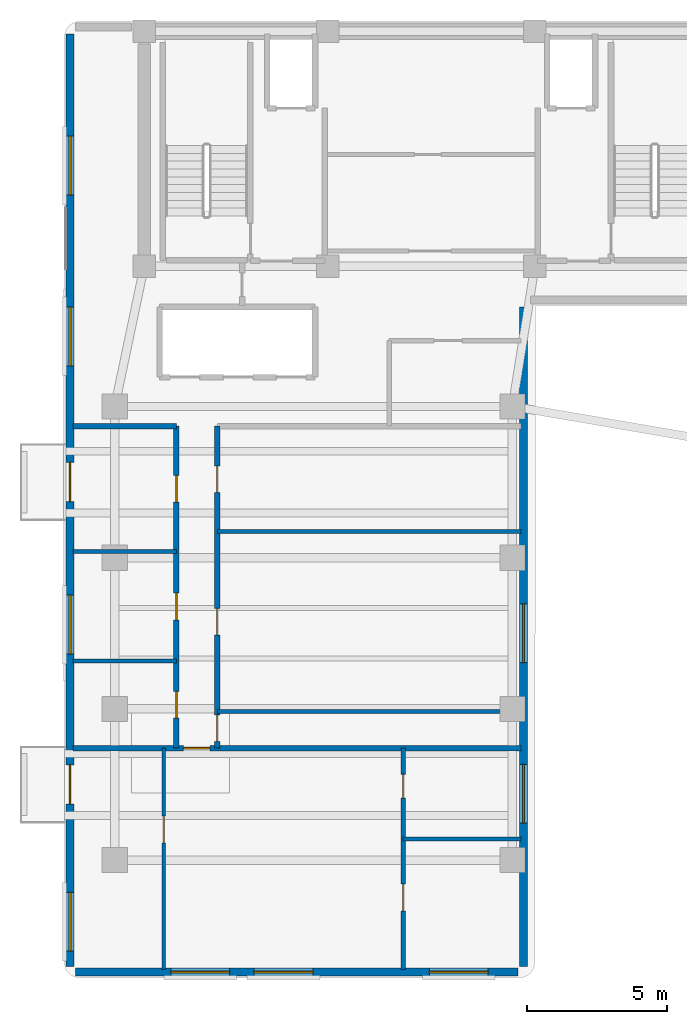
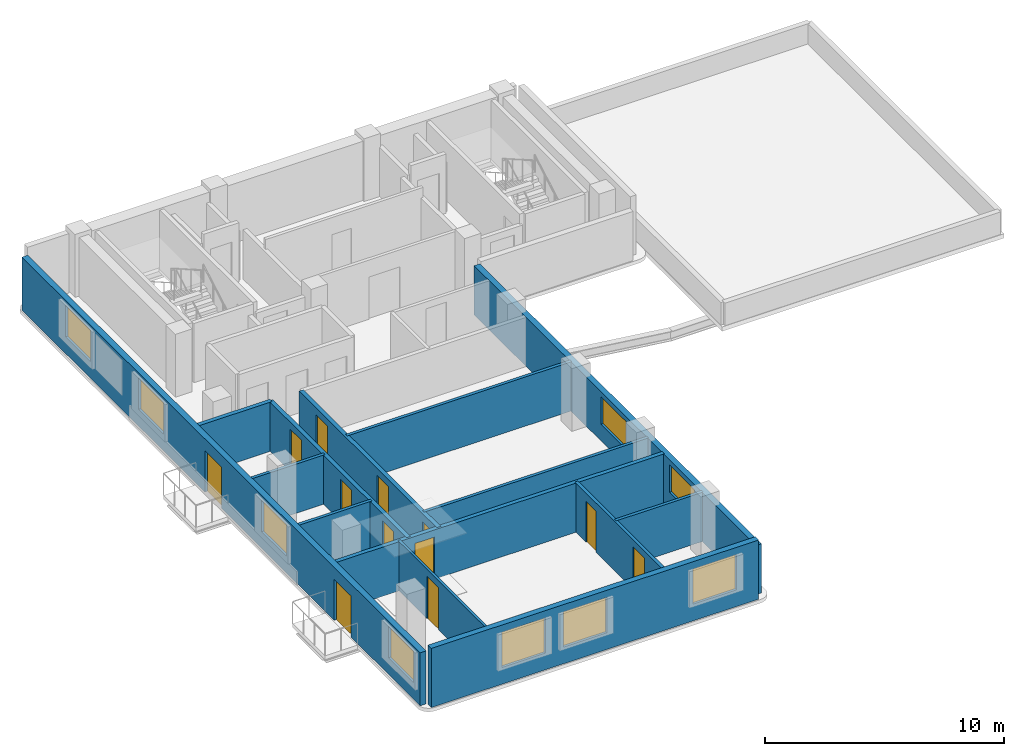
# One storey, part 2 of 6: 14 walls, 12 doors, 9 windows, 21 openings.
"""IFC4 building model written with IfcOpenShell, lengths in metres."""

from ifc_helpers import new_model, si_unit, direction, frame, frame_2d, origin, place, context, subcontext, project, spatial, rectangle, extrude, material, layer, layer_set, type_object, element, fill, save


model = new_model("IFC4")

# Units and contexts
model_context = context("Model", 3, precision=1e-05, world=origin(), true_north=direction((0.0, 1.0)))
body_context = subcontext(model_context, "Body", "Model", "MODEL_VIEW")
ifc_project = project(units=[si_unit("LENGTHUNIT", "METRE"), si_unit("AREAUNIT", "SQUARE_METRE"), si_unit("VOLUMEUNIT", "CUBIC_METRE"), si_unit("PLANEANGLEUNIT", "RADIAN"), si_unit("MASSUNIT", "GRAM", prefix="KILO")], contexts=[model_context])

# Site, building, storey
site_placement = place(None, origin())
site = spatial("IfcSite", under=ifc_project, at=site_placement, CompositionType="ELEMENT")
building_placement = place(site_placement, origin())
building = spatial("IfcBuilding", under=site, at=building_placement, Name="Kuzgunbayir Cultural Tower", CompositionType="ELEMENT")
storey_placement = place(building_placement, frame((0.0, 0.0, 204.800048828125)))
storey = spatial("IfcBuildingStorey", under=building, at=storey_placement, Name="L60", CompositionType="ELEMENT", Elevation=204.800048828125)

# Wall, openings, windows
ifc_material_1 = material(Name="Anatolian Cream Limestone", Category="masonry")
ifc_layer_1 = layer(ifc_material_1, 0.280029296875)
ifc_layer_set_1 = layer_set([ifc_layer_1], Name="Anatolian Cream Limestone")
wall_type_1 = type_object("IfcWallType", Name="WAL-EXT-STONE-280", PredefinedType="STANDARD", material=ifc_layer_set_1)
wall_1_placement = place(storey_placement, frame((4.0, 8.60009765625, 0.0), z_axis=(0.0, 0.0, 1.0), x_axis=(1.0, 0.0, 0.0)))
wall_1 = element("IfcWall", 1, at=wall_1_placement, inside=storey, type_object=wall_type_1, Name="L60 Wing A South Limestone Wall", PredefinedType="STANDARD", context=body_context, shape_type="SweptSolid", body=[
    extrude(rectangle(XDim=15.800048828125, YDim=0.280029296875, at=frame_2d((7.89990234375, 0.0))), origin(), (0.0, 0.0, 1.0), 3.02001953125),
])
opening_1_placement = place(wall_1_placement, frame((6.3701171875, 0.0, 0.85009765625)))
opening_1 = element("IfcOpeningElement", 2, at=opening_1_placement, cuts=wall_1, Name="Opening WR-21", PredefinedType="OPENING", context=body_context, shape_type="SweptSolid", body=[
    extrude(rectangle(XDim=2.10009765625, YDim=1.800048828125, at=frame_2d((1.050048828125, 0.89990234375))), frame((0.0, 0.14990234375, 0.0), z_axis=(0.0, -1.0, 0.0), x_axis=(1.0, 0.0, 0.0)), (0.0, 0.0, 1.0), 0.300048828125),
])
opening_2_placement = place(wall_1_placement, frame((12.6298828125, 0.0, 0.85009765625)))
opening_2 = element("IfcOpeningElement", 3, at=opening_2_placement, cuts=wall_1, Name="Opening WR-21", PredefinedType="OPENING", context=body_context, shape_type="SweptSolid", body=[
    extrude(rectangle(XDim=2.10009765625, YDim=1.800048828125, at=frame_2d((1.050048828125, 0.89990234375))), frame((0.0, 0.14990234375, 0.0), z_axis=(0.0, -1.0, 0.0), x_axis=(1.0, 0.0, 0.0)), (0.0, 0.0, 1.0), 0.300048828125),
])
opening_3_placement = place(wall_1_placement, frame((3.39990234375, 0.0, 0.85009765625)))
opening_3 = element("IfcOpeningElement", 4, at=opening_3_placement, cuts=wall_1, Name="Opening WR-21", PredefinedType="OPENING", context=body_context, shape_type="SweptSolid", body=[
    extrude(rectangle(XDim=2.10009765625, YDim=1.800048828125, at=frame_2d((1.050048828125, 0.89990234375))), frame((0.0, 0.14990234375, 0.0), z_axis=(0.0, -1.0, 0.0), x_axis=(1.0, 0.0, 0.0)), (0.0, 0.0, 1.0), 0.300048828125),
])
ifc_material_2 = material(Name="Solar-Control Triple Glazing", Category="glass")
window_type = type_object("IfcWindowType", Name="WIN-RESID-21", PartitioningType="SINGLE_PANEL", PredefinedType="WINDOW", material=ifc_material_2)
window_1_placement = place(opening_1_placement, origin())
window_1 = element("IfcWindow", 5, at=window_1_placement, inside=storey, type_object=window_type, Name="L60 WAS Facade Window 1", OverallHeight=1.800048828125, OverallWidth=2.10009765625, PartitioningType="SINGLE_PANEL", PredefinedType="WINDOW", context=body_context, shape_type="SweptSolid", body=[
    extrude(rectangle(XDim=2.10009765625, YDim=1.800048828125, at=frame_2d((1.050048828125, 0.89990234375))), frame((0.0, 0.030029296875, 0.0), z_axis=(0.0, -1.0, 0.0), x_axis=(1.0, 0.0, 0.0)), (0.0, 0.0, 1.0), 0.06005859375),
])
fill(opening_1, window_1)
window_2_placement = place(opening_2_placement, origin())
window_2 = element("IfcWindow", 6, at=window_2_placement, inside=storey, type_object=window_type, Name="L60 WAS Facade Window 2", OverallHeight=1.800048828125, OverallWidth=2.10009765625, PartitioningType="SINGLE_PANEL", PredefinedType="WINDOW", context=body_context, shape_type="SweptSolid", body=[
    extrude(rectangle(XDim=2.10009765625, YDim=1.800048828125, at=frame_2d((1.050048828125, 0.89990234375))), frame((0.0, 0.030029296875, 0.0), z_axis=(0.0, -1.0, 0.0), x_axis=(1.0, 0.0, 0.0)), (0.0, 0.0, 1.0), 0.06005859375),
])
fill(opening_2, window_2)
window_3_placement = place(opening_3_placement, origin())
window_3 = element("IfcWindow", 7, at=window_3_placement, inside=storey, type_object=window_type, Name="L60 WAS Facade Window 9", OverallHeight=1.800048828125, OverallWidth=2.10009765625, PartitioningType="SINGLE_PANEL", PredefinedType="WINDOW", context=body_context, shape_type="SweptSolid", body=[
    extrude(rectangle(XDim=2.10009765625, YDim=1.800048828125, at=frame_2d((1.050048828125, 0.89990234375))), frame((0.0, 0.030029296875, 0.0), z_axis=(0.0, -1.0, 0.0), x_axis=(1.0, 0.0, 0.0)), (0.0, 0.0, 1.0), 0.06005859375),
])
fill(opening_3, window_3)

# Wall, openings, doors, windows
wall_2_placement = place(storey_placement, frame((3.800048828125, 42.10009765625, 0.0), z_axis=(0.0, 0.0, 1.0), x_axis=(0.0, -1.0, 0.0)))
wall_2 = element("IfcWall", 8, at=wall_2_placement, inside=storey, type_object=wall_type_1, Name="L60 Wing A West Limestone Wall", PredefinedType="STANDARD", context=body_context, shape_type="SweptSolid", body=[
    extrude(rectangle(XDim=33.300048828125, YDim=0.280029296875, at=frame_2d((16.64990234375, 0.0))), origin(), (0.0, 0.0, 1.0), 2.7099609375),
])
opening_4_placement = place(wall_2_placement, frame((26.10009765625, 0.0, 0.0)))
opening_4 = element("IfcOpeningElement", 9, at=opening_4_placement, cuts=wall_2, Name="Opening BD-15", PredefinedType="OPENING", context=body_context, shape_type="SweptSolid", body=[
    extrude(rectangle(XDim=1.39990234375, YDim=2.10009765625, at=frame_2d((0.699951171875, 1.050048828125))), frame((0.0, 0.14990234375, 0.0), z_axis=(0.0, -1.0, 0.0), x_axis=(1.0, 0.0, 0.0)), (0.0, 0.0, 1.0), 0.300048828125),
])
opening_5_placement = place(wall_2_placement, frame((15.300048828125, 0.0, 0.0)))
opening_5 = element("IfcOpeningElement", 10, at=opening_5_placement, cuts=wall_2, Name="Opening BD-15", PredefinedType="OPENING", context=body_context, shape_type="SweptSolid", body=[
    extrude(rectangle(XDim=1.39990234375, YDim=2.10009765625, at=frame_2d((0.699951171875, 1.050048828125))), frame((0.0, 0.14990234375, 0.0), z_axis=(0.0, -1.0, 0.0), x_axis=(1.0, 0.0, 0.0)), (0.0, 0.0, 1.0), 0.300048828125),
])
opening_6_placement = place(wall_2_placement, frame((30.64990234375, 0.0, 0.85009765625)))
opening_6 = element("IfcOpeningElement", 11, at=opening_6_placement, cuts=wall_2, Name="Opening WR-21", PredefinedType="OPENING", context=body_context, shape_type="SweptSolid", body=[
    extrude(rectangle(XDim=2.10009765625, YDim=1.610107421875, at=frame_2d((1.050048828125, 0.80517578125))), frame((0.0, 0.14990234375, 0.0), z_axis=(0.0, -1.0, 0.0), x_axis=(1.0, 0.0, 0.0)), (0.0, 0.0, 1.0), 0.300048828125),
])
opening_7_placement = place(wall_2_placement, frame((20.0400390625, 0.0, 0.85009765625)))
opening_7 = element("IfcOpeningElement", 12, at=opening_7_placement, cuts=wall_2, Name="Opening WR-21", PredefinedType="OPENING", context=body_context, shape_type="SweptSolid", body=[
    extrude(rectangle(XDim=2.10009765625, YDim=1.610107421875, at=frame_2d((1.050048828125, 0.80517578125))), frame((0.0, 0.14990234375, 0.0), z_axis=(0.0, -1.0, 0.0), x_axis=(1.0, 0.0, 0.0)), (0.0, 0.0, 1.0), 0.300048828125),
])
opening_8_placement = place(wall_2_placement, frame((9.75, 0.0, 0.85009765625)))
opening_8 = element("IfcOpeningElement", 13, at=opening_8_placement, cuts=wall_2, Name="Opening WR-21", PredefinedType="OPENING", context=body_context, shape_type="SweptSolid", body=[
    extrude(rectangle(XDim=2.10009765625, YDim=1.610107421875, at=frame_2d((1.050048828125, 0.80517578125))), frame((0.0, 0.14990234375, 0.0), z_axis=(0.0, -1.0, 0.0), x_axis=(1.0, 0.0, 0.0)), (0.0, 0.0, 1.0), 0.300048828125),
])
opening_9_placement = place(wall_2_placement, frame((3.64990234375, 0.0, 0.85009765625)))
opening_9 = element("IfcOpeningElement", 14, at=opening_9_placement, cuts=wall_2, Name="Opening WR-21", PredefinedType="OPENING", context=body_context, shape_type="SweptSolid", body=[
    extrude(rectangle(XDim=2.10009765625, YDim=1.610107421875, at=frame_2d((1.050048828125, 0.80517578125))), frame((0.0, 0.14990234375, 0.0), z_axis=(0.0, -1.0, 0.0), x_axis=(1.0, 0.0, 0.0)), (0.0, 0.0, 1.0), 0.300048828125),
])
ifc_material_3 = material(Name="Thermally Broken Glazed Aluminium", Category="aluminium")
door_type_1 = type_object("IfcDoorType", Name="DR-BALCONY-150", OperationType="SLIDING_TO_RIGHT", PredefinedType="DOOR", material=ifc_material_3)
door_1_placement = place(opening_4_placement, origin())
door_1 = element("IfcDoor", 15, at=door_1_placement, inside=storey, type_object=door_type_1, Name="L60 West Balcony Sliding Door BAL-L60-WA1", OperationType="SLIDING_TO_RIGHT", OverallHeight=2.10009765625, OverallWidth=1.39990234375, PredefinedType="DOOR", context=body_context, shape_type="SweptSolid", body=[
    extrude(rectangle(XDim=1.39990234375, YDim=2.10009765625, at=frame_2d((0.699951171875, 1.050048828125))), frame((0.0, 0.02490234375, 0.0), z_axis=(0.0, -1.0, 0.0), x_axis=(1.0, 0.0, 0.0)), (0.0, 0.0, 1.0), 0.050048828125),
])
fill(opening_4, door_1)
door_2_placement = place(opening_5_placement, origin())
door_2 = element("IfcDoor", 16, at=door_2_placement, inside=storey, type_object=door_type_1, Name="L60 West Balcony Sliding Door BAL-L60-WA3", OperationType="SLIDING_TO_RIGHT", OverallHeight=2.10009765625, OverallWidth=1.39990234375, PredefinedType="DOOR", context=body_context, shape_type="SweptSolid", body=[
    extrude(rectangle(XDim=1.39990234375, YDim=2.10009765625, at=frame_2d((0.699951171875, 1.050048828125))), frame((0.0, 0.02490234375, 0.0), z_axis=(0.0, -1.0, 0.0), x_axis=(1.0, 0.0, 0.0)), (0.0, 0.0, 1.0), 0.050048828125),
])
fill(opening_5, door_2)
window_4_placement = place(opening_6_placement, origin())
window_4 = element("IfcWindow", 17, at=window_4_placement, inside=storey, type_object=window_type, Name="L60 WAW Facade Window 4", OverallHeight=1.610107421875, OverallWidth=2.10009765625, PartitioningType="SINGLE_PANEL", PredefinedType="WINDOW", context=body_context, shape_type="SweptSolid", body=[
    extrude(rectangle(XDim=2.10009765625, YDim=1.610107421875, at=frame_2d((1.050048828125, 0.80517578125))), frame((0.0, 0.030029296875, 0.0), z_axis=(0.0, -1.0, 0.0), x_axis=(1.0, 0.0, 0.0)), (0.0, 0.0, 1.0), 0.06005859375),
])
fill(opening_6, window_4)
window_5_placement = place(opening_7_placement, origin())
window_5 = element("IfcWindow", 18, at=window_5_placement, inside=storey, type_object=window_type, Name="L60 WAW Facade Window 5", OverallHeight=1.610107421875, OverallWidth=2.10009765625, PartitioningType="SINGLE_PANEL", PredefinedType="WINDOW", context=body_context, shape_type="SweptSolid", body=[
    extrude(rectangle(XDim=2.10009765625, YDim=1.610107421875, at=frame_2d((1.050048828125, 0.80517578125))), frame((0.0, 0.030029296875, 0.0), z_axis=(0.0, -1.0, 0.0), x_axis=(1.0, 0.0, 0.0)), (0.0, 0.0, 1.0), 0.06005859375),
])
fill(opening_7, window_5)
window_6_placement = place(opening_8_placement, origin())
window_6 = element("IfcWindow", 19, at=window_6_placement, inside=storey, type_object=window_type, Name="L60 WAW Facade Window 6", OverallHeight=1.610107421875, OverallWidth=2.10009765625, PartitioningType="SINGLE_PANEL", PredefinedType="WINDOW", context=body_context, shape_type="SweptSolid", body=[
    extrude(rectangle(XDim=2.10009765625, YDim=1.610107421875, at=frame_2d((1.050048828125, 0.80517578125))), frame((0.0, 0.030029296875, 0.0), z_axis=(0.0, -1.0, 0.0), x_axis=(1.0, 0.0, 0.0)), (0.0, 0.0, 1.0), 0.06005859375),
])
fill(opening_8, window_6)
window_7_placement = place(opening_9_placement, origin())
window_7 = element("IfcWindow", 20, at=window_7_placement, inside=storey, type_object=window_type, Name="L60 WAW Facade Window 7", OverallHeight=1.610107421875, OverallWidth=2.10009765625, PartitioningType="SINGLE_PANEL", PredefinedType="WINDOW", context=body_context, shape_type="SweptSolid", body=[
    extrude(rectangle(XDim=2.10009765625, YDim=1.610107421875, at=frame_2d((1.050048828125, 0.80517578125))), frame((0.0, 0.030029296875, 0.0), z_axis=(0.0, -1.0, 0.0), x_axis=(1.0, 0.0, 0.0)), (0.0, 0.0, 1.0), 0.06005859375),
])
fill(opening_9, window_7)

# Wall, openings, windows
wall_3_placement = place(storey_placement, frame((20.0, 8.800048828125, 0.0), z_axis=(0.0, 0.0, 1.0), x_axis=(0.0, 1.0, 0.0)))
wall_3 = element("IfcWall", 21, at=wall_3_placement, inside=storey, type_object=wall_type_1, Name="L60 Wing A East Limestone Wall", PredefinedType="STANDARD", context=body_context, shape_type="SweptSolid", body=[
    extrude(rectangle(XDim=23.550048828125, YDim=0.280029296875, at=frame_2d((11.77490234375, 0.0))), origin(), (0.0, 0.0, 1.0), 2.510009765625),
])
opening_10_placement = place(wall_3_placement, frame((5.1201171875, 0.0, 0.85009765625)))
opening_10 = element("IfcOpeningElement", 22, at=opening_10_placement, cuts=wall_3, Name="Opening WR-21", PredefinedType="OPENING", context=body_context, shape_type="SweptSolid", body=[
    extrude(rectangle(XDim=2.10009765625, YDim=1.409912109375, at=frame_2d((1.050048828125, 0.705078125))), frame((0.0, 0.14990234375, 0.0), z_axis=(0.0, -1.0, 0.0), x_axis=(1.0, 0.0, 0.0)), (0.0, 0.0, 1.0), 0.300048828125),
])
opening_11_placement = place(wall_3_placement, frame((10.85009765625, 0.0, 0.85009765625)))
opening_11 = element("IfcOpeningElement", 23, at=opening_11_placement, cuts=wall_3, Name="Opening WR-21", PredefinedType="OPENING", context=body_context, shape_type="SweptSolid", body=[
    extrude(rectangle(XDim=2.10009765625, YDim=1.409912109375, at=frame_2d((1.050048828125, 0.705078125))), frame((0.0, 0.14990234375, 0.0), z_axis=(0.0, -1.0, 0.0), x_axis=(1.0, 0.0, 0.0)), (0.0, 0.0, 1.0), 0.300048828125),
])
window_8_placement = place(opening_10_placement, origin())
window_8 = element("IfcWindow", 24, at=window_8_placement, inside=storey, type_object=window_type, Name="L60 WAE Facade Window 3", OverallHeight=1.409912109375, OverallWidth=2.10009765625, PartitioningType="SINGLE_PANEL", PredefinedType="WINDOW", context=body_context, shape_type="SweptSolid", body=[
    extrude(rectangle(XDim=2.10009765625, YDim=1.409912109375, at=frame_2d((1.050048828125, 0.705078125))), frame((0.0, 0.030029296875, 0.0), z_axis=(0.0, -1.0, 0.0), x_axis=(1.0, 0.0, 0.0)), (0.0, 0.0, 1.0), 0.06005859375),
])
fill(opening_10, window_8)
window_9_placement = place(opening_11_placement, origin())
window_9 = element("IfcWindow", 25, at=window_9_placement, inside=storey, type_object=window_type, Name="L60 WAE Facade Window 8", OverallHeight=1.409912109375, OverallWidth=2.10009765625, PartitioningType="SINGLE_PANEL", PredefinedType="WINDOW", context=body_context, shape_type="SweptSolid", body=[
    extrude(rectangle(XDim=2.10009765625, YDim=1.409912109375, at=frame_2d((1.050048828125, 0.705078125))), frame((0.0, 0.030029296875, 0.0), z_axis=(0.0, -1.0, 0.0), x_axis=(1.0, 0.0, 0.0)), (0.0, 0.0, 1.0), 0.06005859375),
])
fill(opening_11, window_9)

# Walls
ifc_material_4 = material(Name="Acoustic Double-Stud Drywall", Category="gypsum")
ifc_layer_2 = layer(ifc_material_4, 0.14990234375)
ifc_layer_set_2 = layer_set([ifc_layer_2], Name="Acoustic Double-Stud Drywall")
wall_type_2 = type_object("IfcWallType", Name="WAL-PART-ACOUSTIC-150", PredefinedType="PARTITIONING", material=ifc_layer_set_2)
for number, where, z_axis, x_axis, name in (
    (26, (3.89990234375, 19.7099609375, 0.0), (0.0, 0.0, 1.0), (1.0, 0.0, 0.0), "L60 West Study Partition 1"),
    (27, (3.89990234375, 23.6201171875, 0.0), (0.0, 0.0, 1.0), (1.0, 0.0, 0.0), "L60 West Study Partition 2"),
):
    element("IfcWall", number, at=place(storey_placement, frame(where, z_axis=z_axis, x_axis=x_axis)), inside=storey, type_object=wall_type_2, Name=name, PredefinedType="PARTITIONING", context=body_context, shape_type="SweptSolid", body=[
        extrude(rectangle(XDim=3.7001953125, YDim=0.14990234375, at=frame_2d((1.85009765625, 0.0))), origin(), (0.0, 0.0, 1.0), 2.510009765625),
    ])
wall_4_placement = place(storey_placement, frame((9.06005859375, 24.330078125, 0.0), z_axis=(0.0, 0.0, 1.0), x_axis=(1.0, 0.0, 0.0)))
element("IfcWall", 28, at=wall_4_placement, inside=storey, type_object=wall_type_2, Name="L60 East Divider 1", PredefinedType="PARTITIONING", context=body_context, shape_type="SweptSolid", body=[
    extrude(rectangle(XDim=10.83984375, YDim=0.14990234375, at=frame_2d((5.419921875, 0.0))), origin(), (0.0, 0.0, 1.0), 2.510009765625),
])

# Wall, openings, doors
ifc_material_5 = material(Name="Aerated Concrete Blockwork", Category="masonry")
ifc_layer_3 = layer(ifc_material_5, 0.199951171875)
ifc_layer_set_3 = layer_set([ifc_layer_3], Name="Aerated Concrete Blockwork")
wall_type_3 = type_object("IfcWallType", Name="WAL-PART-FIRE-200", PredefinedType="PARTITIONING", material=ifc_layer_set_3)
wall_5_placement = place(storey_placement, frame((7.60009765625, 16.60009765625, 0.0), z_axis=(0.0, 0.0, 1.0), x_axis=(0.0, 1.0, 0.0)))
wall_5 = element("IfcWall", 29, at=wall_5_placement, inside=storey, type_object=wall_type_3, Name="L60 Wing A West Corridor Wall", PredefinedType="PARTITIONING", context=body_context, shape_type="SweptSolid", body=[
    extrude(rectangle(XDim=11.5, YDim=0.199951171875, at=frame_2d((5.75, 0.0))), origin(), (0.0, 0.0, 1.0), 2.510009765625),
])
opening_12_placement = place(wall_5_placement, frame((1.070068359375, 0.0, 0.0)))
opening_12 = element("IfcOpeningElement", 30, at=opening_12_placement, cuts=wall_5, Name="Opening DI-90", PredefinedType="OPENING", context=body_context, shape_type="SweptSolid", body=[
    extrude(rectangle(XDim=0.949951171875, YDim=2.14990234375, at=frame_2d((0.47509765625, 1.074951171875))), frame((0.0, 0.10986328125, 0.0), z_axis=(0.0, -1.0, 0.0), x_axis=(1.0, 0.0, 0.0)), (0.0, 0.0, 1.0), 0.219970703125),
])
opening_13_placement = place(wall_5_placement, frame((4.580078125, 0.0, 0.0)))
opening_13 = element("IfcOpeningElement", 31, at=opening_13_placement, cuts=wall_5, Name="Opening DI-90", PredefinedType="OPENING", context=body_context, shape_type="SweptSolid", body=[
    extrude(rectangle(XDim=0.949951171875, YDim=2.14990234375, at=frame_2d((0.47509765625, 1.074951171875))), frame((0.0, 0.10986328125, 0.0), z_axis=(0.0, -1.0, 0.0), x_axis=(1.0, 0.0, 0.0)), (0.0, 0.0, 1.0), 0.219970703125),
])
opening_14_placement = place(wall_5_placement, frame((8.780029296875, 0.0, 0.0)))
opening_14 = element("IfcOpeningElement", 32, at=opening_14_placement, cuts=wall_5, Name="Opening DI-90", PredefinedType="OPENING", context=body_context, shape_type="SweptSolid", body=[
    extrude(rectangle(XDim=0.949951171875, YDim=2.14990234375, at=frame_2d((0.47509765625, 1.074951171875))), frame((0.0, 0.10986328125, 0.0), z_axis=(0.0, -1.0, 0.0), x_axis=(1.0, 0.0, 0.0)), (0.0, 0.0, 1.0), 0.219970703125),
])
ifc_material_6 = material(Name="Veneered Oak Single Leaf", Category="wood")
door_type_2 = type_object("IfcDoorType", Name="DR-INT-90", OperationType="NOTDEFINED", PredefinedType="DOOR", material=ifc_material_6)
door_3_placement = place(opening_12_placement, origin())
door_3 = element("IfcDoor", 33, at=door_3_placement, inside=storey, type_object=door_type_2, Name="L60 Curatorial Office W1 Door", OperationType="SINGLE_SWING_LEFT", OverallHeight=2.14990234375, OverallWidth=0.949951171875, PredefinedType="DOOR", context=body_context, shape_type="SweptSolid", body=[
    extrude(rectangle(XDim=0.949951171875, YDim=2.14990234375, at=frame_2d((0.47509765625, 1.074951171875))), frame((0.0, 0.02490234375, 0.0), z_axis=(0.0, -1.0, 0.0), x_axis=(1.0, 0.0, 0.0)), (0.0, 0.0, 1.0), 0.050048828125),
])
fill(opening_12, door_3)
door_4_placement = place(opening_13_placement, origin())
door_4 = element("IfcDoor", 34, at=door_4_placement, inside=storey, type_object=door_type_2, Name="L60 Curatorial Office W2 Door", OperationType="SINGLE_SWING_RIGHT", OverallHeight=2.14990234375, OverallWidth=0.949951171875, PredefinedType="DOOR", context=body_context, shape_type="SweptSolid", body=[
    extrude(rectangle(XDim=0.949951171875, YDim=2.14990234375, at=frame_2d((0.47509765625, 1.074951171875))), frame((0.0, 0.02490234375, 0.0), z_axis=(0.0, -1.0, 0.0), x_axis=(1.0, 0.0, 0.0)), (0.0, 0.0, 1.0), 0.050048828125),
])
fill(opening_13, door_4)
door_5_placement = place(opening_14_placement, origin())
door_5 = element("IfcDoor", 35, at=door_5_placement, inside=storey, type_object=door_type_2, Name="L60 Wellness Consultation Studio W3 Door", OperationType="SINGLE_SWING_LEFT", OverallHeight=2.14990234375, OverallWidth=0.949951171875, PredefinedType="DOOR", context=body_context, shape_type="SweptSolid", body=[
    extrude(rectangle(XDim=0.949951171875, YDim=2.14990234375, at=frame_2d((0.47509765625, 1.074951171875))), frame((0.0, 0.02490234375, 0.0), z_axis=(0.0, -1.0, 0.0), x_axis=(1.0, 0.0, 0.0)), (0.0, 0.0, 1.0), 0.050048828125),
])
fill(opening_14, door_5)

wall_6_placement = place(storey_placement, frame((9.06005859375, 16.60009765625, 0.0), z_axis=(0.0, 0.0, 1.0), x_axis=(0.0, 1.0, 0.0)))
wall_6 = element("IfcWall", 36, at=wall_6_placement, inside=storey, type_object=wall_type_3, Name="L60 Wing A East Corridor Wall", PredefinedType="PARTITIONING", context=body_context, shape_type="SweptSolid", body=[
    extrude(rectangle(XDim=11.5, YDim=0.199951171875, at=frame_2d((5.75, 0.0))), origin(), (0.0, 0.0, 1.0), 2.510009765625),
])
opening_15_placement = place(wall_6_placement, frame((0.239990234375, 0.0, 0.0)))
opening_15 = element("IfcOpeningElement", 37, at=opening_15_placement, cuts=wall_6, Name="Opening DW-95", PredefinedType="OPENING", context=body_context, shape_type="SweptSolid", body=[
    extrude(rectangle(XDim=0.949951171875, YDim=2.10009765625, at=frame_2d((0.47509765625, 1.050048828125))), frame((0.0, 0.10986328125, 0.0), z_axis=(0.0, -1.0, 0.0), x_axis=(1.0, 0.0, 0.0)), (0.0, 0.0, 1.0), 0.219970703125),
])
opening_16_placement = place(wall_6_placement, frame((4.0400390625, 0.0, 0.0)))
opening_16 = element("IfcOpeningElement", 38, at=opening_16_placement, cuts=wall_6, Name="Opening DI-90", PredefinedType="OPENING", context=body_context, shape_type="SweptSolid", body=[
    extrude(rectangle(XDim=0.949951171875, YDim=2.14990234375, at=frame_2d((0.47509765625, 1.074951171875))), frame((0.0, 0.10986328125, 0.0), z_axis=(0.0, -1.0, 0.0), x_axis=(1.0, 0.0, 0.0)), (0.0, 0.0, 1.0), 0.219970703125),
])
opening_17_placement = place(wall_6_placement, frame((9.1298828125, 0.0, 0.0)))
opening_17 = element("IfcOpeningElement", 39, at=opening_17_placement, cuts=wall_6, Name="Opening DI-90", PredefinedType="OPENING", context=body_context, shape_type="SweptSolid", body=[
    extrude(rectangle(XDim=0.949951171875, YDim=2.14990234375, at=frame_2d((0.47509765625, 1.074951171875))), frame((0.0, 0.10986328125, 0.0), z_axis=(0.0, -1.0, 0.0), x_axis=(1.0, 0.0, 0.0)), (0.0, 0.0, 1.0), 0.219970703125),
])
door_6_placement = place(opening_16_placement, origin())
door_6 = element("IfcDoor", 40, at=door_6_placement, inside=storey, type_object=door_type_2, Name="L60 East Curatorial Office E1 Door", OperationType="SINGLE_SWING_LEFT", OverallHeight=2.14990234375, OverallWidth=0.949951171875, PredefinedType="DOOR", context=body_context, shape_type="SweptSolid", body=[
    extrude(rectangle(XDim=0.949951171875, YDim=2.14990234375, at=frame_2d((0.47509765625, 1.074951171875))), frame((0.0, 0.02490234375, 0.0), z_axis=(0.0, -1.0, 0.0), x_axis=(1.0, 0.0, 0.0)), (0.0, 0.0, 1.0), 0.050048828125),
])
fill(opening_16, door_6)
door_7_placement = place(opening_17_placement, origin())
door_7 = element("IfcDoor", 41, at=door_7_placement, inside=storey, type_object=door_type_2, Name="L60 East Fellows Reading Lounge E2 Door", OperationType="SINGLE_SWING_RIGHT", OverallHeight=2.14990234375, OverallWidth=0.949951171875, PredefinedType="DOOR", context=body_context, shape_type="SweptSolid", body=[
    extrude(rectangle(XDim=0.949951171875, YDim=2.14990234375, at=frame_2d((0.47509765625, 1.074951171875))), frame((0.0, 0.02490234375, 0.0), z_axis=(0.0, -1.0, 0.0), x_axis=(1.0, 0.0, 0.0)), (0.0, 0.0, 1.0), 0.050048828125),
])
fill(opening_17, door_7)
ifc_material_7 = material(Name="Laminate Moisture-Resistant Leaf", Category="wood")
door_type_3 = type_object("IfcDoorType", Name="DR-WET-95", OperationType="NOTDEFINED", PredefinedType="DOOR", material=ifc_material_7)
door_8_placement = place(opening_15_placement, origin())
door_8 = element("IfcDoor", 42, at=door_8_placement, inside=storey, type_object=door_type_3, Name="L60 Visitor Accessible WC Door", OperationType="SINGLE_SWING_RIGHT", OverallHeight=2.10009765625, OverallWidth=0.949951171875, PredefinedType="DOOR", context=body_context, shape_type="SweptSolid", body=[
    extrude(rectangle(XDim=0.949951171875, YDim=2.10009765625, at=frame_2d((0.47509765625, 1.050048828125))), frame((0.0, 0.02490234375, 0.0), z_axis=(0.0, -1.0, 0.0), x_axis=(1.0, 0.0, 0.0)), (0.0, 0.0, 1.0), 0.050048828125),
])
fill(opening_15, door_8)

# Wall, opening, door
wall_7_placement = place(storey_placement, frame((3.89990234375, 16.60009765625, 0.0), z_axis=(0.0, 0.0, 1.0), x_axis=(1.0, 0.0, 0.0)))
wall_7 = element("IfcWall", 43, at=wall_7_placement, inside=storey, type_object=wall_type_3, Name="L60 South Cross Partition", PredefinedType="PARTITIONING", context=body_context, shape_type="SweptSolid", body=[
    extrude(rectangle(XDim=16.0, YDim=0.199951171875, at=frame_2d((8.0, 0.0))), origin(), (0.0, 0.0, 1.0), 2.510009765625),
])
opening_18_placement = place(wall_7_placement, frame((3.949951171875, 0.0, 0.0)))
opening_18 = element("IfcOpeningElement", 44, at=opening_18_placement, cuts=wall_7, Name="Opening DR-APT-60", PredefinedType="OPENING", context=body_context, shape_type="SweptSolid", body=[
    extrude(rectangle(XDim=0.949951171875, YDim=2.14990234375, at=frame_2d((0.47509765625, 1.074951171875))), frame((0.0, 0.10986328125, 0.0), z_axis=(0.0, -1.0, 0.0), x_axis=(1.0, 0.0, 0.0)), (0.0, 0.0, 1.0), 0.219970703125),
])
ifc_material_8 = material(Name="Acoustic Fire Timber Leaf", Category="wood")
door_type_4 = type_object("IfcDoorType", Name="DR-APT-60", OperationType="NOTDEFINED", PredefinedType="DOOR", material=ifc_material_8)
door_9_placement = place(opening_18_placement, origin())
door_9 = element("IfcDoor", 45, at=door_9_placement, inside=storey, type_object=door_type_4, Name="L60 Apartment A Entrance", OperationType="SINGLE_SWING_LEFT", OverallHeight=2.14990234375, OverallWidth=0.949951171875, PredefinedType="DOOR", context=body_context, shape_type="SweptSolid", body=[
    extrude(rectangle(XDim=0.949951171875, YDim=2.14990234375, at=frame_2d((0.47509765625, 1.074951171875))), frame((0.0, 0.02490234375, 0.0), z_axis=(0.0, -1.0, 0.0), x_axis=(1.0, 0.0, 0.0)), (0.0, 0.0, 1.0), 0.050048828125),
])
fill(opening_18, door_9)

# Wall
wall_8_placement = place(storey_placement, frame((3.89990234375, 28.10009765625, 0.0), z_axis=(0.0, 0.0, 1.0), x_axis=(1.0, 0.0, 0.0)))
element("IfcWall", 46, at=wall_8_placement, inside=storey, type_object=wall_type_3, Name="L60 North West Partition", PredefinedType="PARTITIONING", context=body_context, shape_type="SweptSolid", body=[
    extrude(rectangle(XDim=3.7001953125, YDim=0.199951171875, at=frame_2d((1.85009765625, 0.0))), origin(), (0.0, 0.0, 1.0), 2.510009765625),
])

# Wall, opening, door
ifc_material_9 = material(Name="Framed Gypsum Partition", Category="gypsum")
ifc_layer_4 = layer(ifc_material_9, 0.1201171875)
ifc_layer_set_4 = layer_set([ifc_layer_4], Name="Framed Gypsum Partition")
wall_type_4 = type_object("IfcWallType", Name="WAL-PART-INT-120", PredefinedType="PARTITIONING", material=ifc_layer_set_4)
wall_9_placement = place(storey_placement, frame((7.14990234375, 8.699951171875, 0.0), z_axis=(0.0, 0.0, 1.0), x_axis=(0.0, 1.0, 0.0)))
wall_9 = element("IfcWall", 47, at=wall_9_placement, inside=storey, type_object=wall_type_4, Name="L60 Flat A West Bedroom Wall", PredefinedType="PARTITIONING", context=body_context, shape_type="SweptSolid", body=[
    extrude(rectangle(XDim=7.900146484375, YDim=0.1201171875, at=frame_2d((3.9501953125, 0.0))), origin(), (0.0, 0.0, 1.0), 2.510009765625),
])
opening_19_placement = place(wall_9_placement, frame((4.52001953125, 0.0, 0.0)))
opening_19 = element("IfcOpeningElement", 48, at=opening_19_placement, cuts=wall_9, Name="Opening DI-90", PredefinedType="OPENING", context=body_context, shape_type="SweptSolid", body=[
    extrude(rectangle(XDim=0.949951171875, YDim=2.14990234375, at=frame_2d((0.47509765625, 1.074951171875))), frame((0.0, 0.070068359375, 0.0), z_axis=(0.0, -1.0, 0.0), x_axis=(1.0, 0.0, 0.0)), (0.0, 0.0, 1.0), 0.14013671875),
])
door_10_placement = place(opening_19_placement, origin())
door_10 = element("IfcDoor", 49, at=door_10_placement, inside=storey, type_object=door_type_2, Name="L60 Apartment A Bedroom Door", OperationType="SINGLE_SWING_RIGHT", OverallHeight=2.14990234375, OverallWidth=0.949951171875, PredefinedType="DOOR", context=body_context, shape_type="SweptSolid", body=[
    extrude(rectangle(XDim=0.949951171875, YDim=2.14990234375, at=frame_2d((0.47509765625, 1.074951171875))), frame((0.0, 0.02490234375, 0.0), z_axis=(0.0, -1.0, 0.0), x_axis=(1.0, 0.0, 0.0)), (0.0, 0.0, 1.0), 0.050048828125),
])
fill(opening_19, door_10)

# Wall, openings, doors
ifc_material_10 = material(Name="Moisture-Resistant Tile Partition", Category="gypsum")
ifc_layer_5 = layer(ifc_material_10, 0.14990234375)
ifc_layer_set_5 = layer_set([ifc_layer_5], Name="Moisture-Resistant Tile Partition")
wall_type_5 = type_object("IfcWallType", Name="WAL-PART-WET-150", PredefinedType="PARTITIONING", material=ifc_layer_set_5)
wall_10_placement = place(storey_placement, frame((15.699951171875, 8.699951171875, 0.0), z_axis=(0.0, 0.0, 1.0), x_axis=(0.0, 1.0, 0.0)))
wall_10 = element("IfcWall", 50, at=wall_10_placement, inside=storey, type_object=wall_type_5, Name="L60 Flat A East Service Wall", PredefinedType="PARTITIONING", context=body_context, shape_type="SweptSolid", body=[
    extrude(rectangle(XDim=7.900146484375, YDim=0.14990234375, at=frame_2d((3.9501953125, 0.0))), origin(), (0.0, 0.0, 1.0), 2.510009765625),
])
opening_20_placement = place(wall_10_placement, frame((2.090087890625, 0.0, 0.0)))
opening_20 = element("IfcOpeningElement", 51, at=opening_20_placement, cuts=wall_10, Name="Opening DI-90", PredefinedType="OPENING", context=body_context, shape_type="SweptSolid", body=[
    extrude(rectangle(XDim=0.949951171875, YDim=2.14990234375, at=frame_2d((0.47509765625, 1.074951171875))), frame((0.0, 0.0849609375, 0.0), z_axis=(0.0, -1.0, 0.0), x_axis=(1.0, 0.0, 0.0)), (0.0, 0.0, 1.0), 0.169921875),
])
opening_21_placement = place(wall_10_placement, frame((6.110107421875, 0.0, 0.0)))
opening_21 = element("IfcOpeningElement", 52, at=opening_21_placement, cuts=wall_10, Name="Opening DW-85", PredefinedType="OPENING", context=body_context, shape_type="SweptSolid", body=[
    extrude(rectangle(XDim=0.85009765625, YDim=2.10009765625, at=frame_2d((0.425048828125, 1.050048828125))), frame((0.0, 0.0849609375, 0.0), z_axis=(0.0, -1.0, 0.0), x_axis=(1.0, 0.0, 0.0)), (0.0, 0.0, 1.0), 0.169921875),
])
door_11_placement = place(opening_20_placement, origin())
door_11 = element("IfcDoor", 53, at=door_11_placement, inside=storey, type_object=door_type_2, Name="L60 Apartment A Kitchen Door", OperationType="SINGLE_SWING_LEFT", OverallHeight=2.14990234375, OverallWidth=0.949951171875, PredefinedType="DOOR", context=body_context, shape_type="SweptSolid", body=[
    extrude(rectangle(XDim=0.949951171875, YDim=2.14990234375, at=frame_2d((0.47509765625, 1.074951171875))), frame((0.0, 0.02490234375, 0.0), z_axis=(0.0, -1.0, 0.0), x_axis=(1.0, 0.0, 0.0)), (0.0, 0.0, 1.0), 0.050048828125),
])
fill(opening_20, door_11)
door_type_5 = type_object("IfcDoorType", Name="DR-WET-85", OperationType="NOTDEFINED", PredefinedType="DOOR", material=ifc_material_7)
door_12_placement = place(opening_21_placement, origin())
door_12 = element("IfcDoor", 54, at=door_12_placement, inside=storey, type_object=door_type_5, Name="L60 Apartment A Bathroom Door", OperationType="SINGLE_SWING_RIGHT", OverallHeight=2.10009765625, OverallWidth=0.85009765625, PredefinedType="DOOR", context=body_context, shape_type="SweptSolid", body=[
    extrude(rectangle(XDim=0.85009765625, YDim=2.10009765625, at=frame_2d((0.425048828125, 1.050048828125))), frame((0.0, 0.02490234375, 0.0), z_axis=(0.0, -1.0, 0.0), x_axis=(1.0, 0.0, 0.0)), (0.0, 0.0, 1.0), 0.050048828125),
])
fill(opening_21, door_12)

# Walls
wall_11_placement = place(storey_placement, frame((15.699951171875, 13.35009765625, 0.0), z_axis=(0.0, 0.0, 1.0), x_axis=(1.0, 0.0, 0.0)))
element("IfcWall", 55, at=wall_11_placement, inside=storey, type_object=wall_type_5, Name="L60 Flat A Bath Kitchen Divider", PredefinedType="PARTITIONING", context=body_context, shape_type="SweptSolid", body=[
    extrude(rectangle(XDim=4.199951171875, YDim=0.14990234375, at=frame_2d((2.10009765625, 0.0))), origin(), (0.0, 0.0, 1.0), 2.510009765625),
])
wall_12_placement = place(storey_placement, frame((9.06005859375, 17.909912109375, 0.0), z_axis=(0.0, 0.0, 1.0), x_axis=(1.0, 0.0, 0.0)))
element("IfcWall", 56, at=wall_12_placement, inside=storey, type_object=wall_type_5, Name="L60 East Accessible WC Wall", PredefinedType="PARTITIONING", context=body_context, shape_type="SweptSolid", body=[
    extrude(rectangle(XDim=10.83984375, YDim=0.14990234375, at=frame_2d((5.419921875, 0.0))), origin(), (0.0, 0.0, 1.0), 2.510009765625),
])

save(model, "model.ifc")
